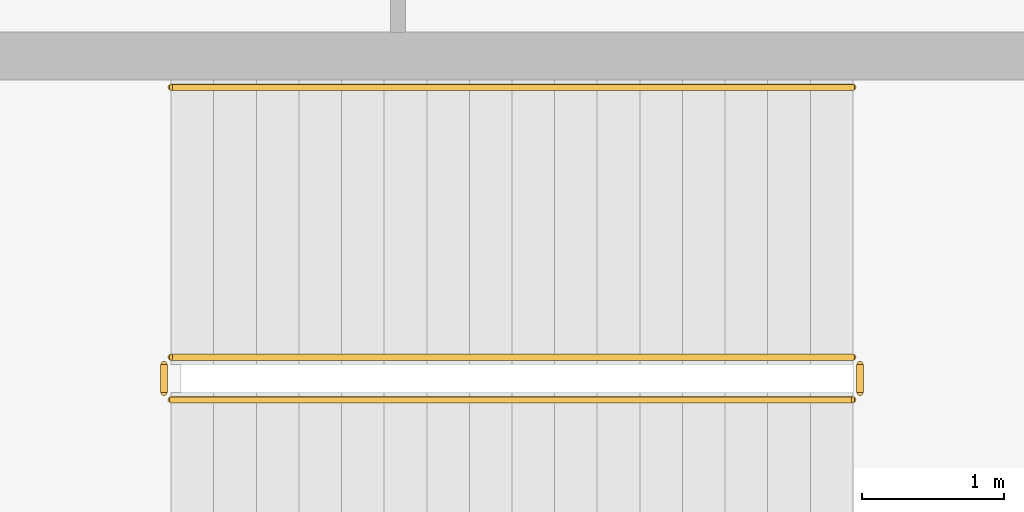
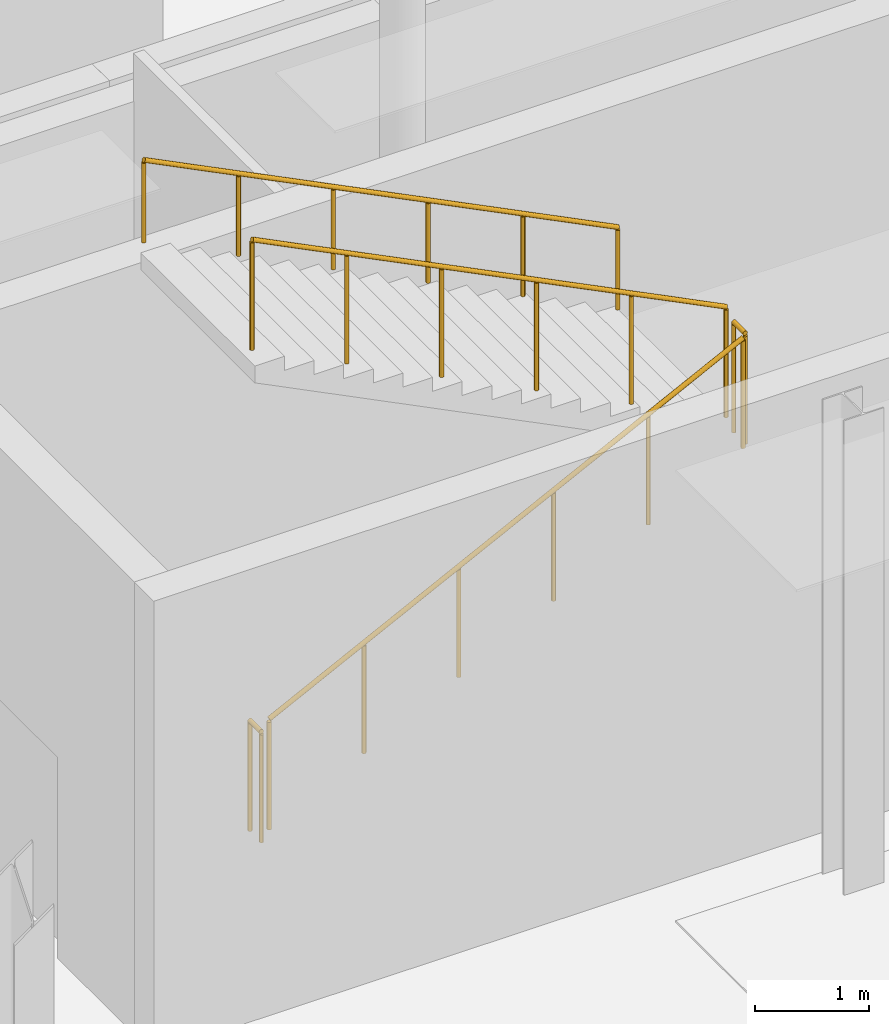
# One storey, part 100 of 103: 5 railings.
"""IFC4 building model written with IfcOpenShell, lengths in metres."""

from ifc_helpers import new_model, si_unit, direction, frame, origin, origin_2d, place, context, subcontext, project, spatial, circle, extrude, material, type_object, element, save


model = new_model("IFC4")

# Units and contexts
model_context = context("Model", 3, precision=1e-05, world=origin(), true_north=direction((0.0, 1.0)))
body_context = subcontext(model_context, "Body", "Model", "MODEL_VIEW")
ifc_project = project(units=[si_unit("LENGTHUNIT", "METRE"), si_unit("AREAUNIT", "SQUARE_METRE"), si_unit("VOLUMEUNIT", "CUBIC_METRE"), si_unit("PLANEANGLEUNIT", "RADIAN"), si_unit("MASSUNIT", "GRAM", prefix="KILO"), si_unit("THERMODYNAMICTEMPERATUREUNIT", "KELVIN")], contexts=[model_context])

# Site, building, storey
site_placement = place(None, origin())
site = spatial("IfcSite", under=ifc_project, at=site_placement, CompositionType="ELEMENT")
building_placement = place(site_placement, origin())
building = spatial("IfcBuilding", under=site, at=building_placement, Name="Lustrewick Department Store", CompositionType="ELEMENT")
storey_placement = place(building_placement, frame((0.0, 0.0, 16.5)))
storey = spatial("IfcBuildingStorey", under=building, at=storey_placement, Name="L04", CompositionType="ELEMENT", Elevation=16.5)

# Railings
ifc_material_1 = material(Name="Painted tubular steel stairwell guardrail", Category="steel")
railing_type_1 = type_object("IfcRailingType", Name="RL-STG", PredefinedType="GUARDRAIL", material=ifc_material_1)
railing_1_placement = place(storey_placement, frame((138.64990234375, 45.050048828125, 0.14990234375)))
element("IfcRailing", 1, at=railing_1_placement, inside=storey, type_object=railing_type_1, Name="L04 ST08 Stair Guard 1", PredefinedType="GUARDRAIL", context=body_context, shape_type="SweptSolid", body=[
    extrude(circle(Radius=0.02392578125, at=origin_2d()), frame((0.0, 0.0, 1.17578125), z_axis=(0.894418092416, 0.0, 0.447231792205), x_axis=(0.0, 1.0, 0.0)), (0.0, 0.0, 1.0), 5.36669921875),
    extrude(circle(Radius=0.02099609375, at=origin_2d()), origin(), (0.0, 0.0, 1.0), 1.15185546875),
    extrude(circle(Radius=0.02099609375, at=origin_2d()), frame((0.9599609375, 0.0, 0.47998046875)), (0.0, 0.0, 1.0), 1.15185546875),
    extrude(circle(Radius=0.02099609375, at=origin_2d()), frame((1.919921875, 0.0, 0.9599609375)), (0.0, 0.0, 1.0), 1.15185546875),
    extrude(circle(Radius=0.02099609375, at=origin_2d()), frame((2.880126953125, 0.0, 1.440185546875)), (0.0, 0.0, 1.0), 1.15185546875),
    extrude(circle(Radius=0.02099609375, at=origin_2d()), frame((3.840087890625, 0.0, 1.920166015625)), (0.0, 0.0, 1.0), 1.15185546875),
    extrude(circle(Radius=0.02099609375, at=origin_2d()), frame((4.800048828125, 0.0, 2.400146484375)), (0.0, 0.0, 1.0), 1.15185546875),
])
railing_2_placement = place(storey_placement, frame((143.5, 45.10009765625, 2.550048828125)))
element("IfcRailing", 2, at=railing_2_placement, inside=storey, type_object=railing_type_1, Name="L04 ST08 Stair Guard 2", PredefinedType="GUARDRAIL", context=body_context, shape_type="SweptSolid", body=[
    extrude(circle(Radius=0.02392578125, at=origin_2d()), frame((0.0, 0.0, 1.17578125), z_axis=(0.0, 1.0, 0.0), x_axis=(-1.0, 0.0, 0.0)), (0.0, 0.0, 1.0), 0.199951171875),
    extrude(circle(Radius=0.02099609375, at=origin_2d()), origin(), (0.0, 0.0, 1.0), 1.15185546875),
    extrude(circle(Radius=0.02099609375, at=origin_2d()), frame((0.0, 0.199951171875, 0.0)), (0.0, 0.0, 1.0), 1.15185546875),
])
railing_3_placement = place(storey_placement, frame((143.449951171875, 45.35009765625, 2.699951171875)))
element("IfcRailing", 3, at=railing_3_placement, inside=storey, type_object=railing_type_1, Name="L04 ST08 Stair Guard 3", PredefinedType="GUARDRAIL", context=body_context, shape_type="SweptSolid", body=[
    extrude(circle(Radius=0.02392578125, at=origin_2d()), frame((0.0, 0.0, 1.17578125), z_axis=(-0.894418092416, 0.0, 0.447231792205), x_axis=(0.0, -1.0, 0.0)), (0.0, 0.0, 1.0), 5.36669921875),
    extrude(circle(Radius=0.02099609375, at=origin_2d()), origin(), (0.0, 0.0, 1.0), 1.15185546875),
    extrude(circle(Radius=0.02099609375, at=origin_2d()), frame((-0.9599609375, 0.0, 0.47998046875)), (0.0, 0.0, 1.0), 1.15185546875),
    extrude(circle(Radius=0.02099609375, at=origin_2d()), frame((-1.919921875, 0.0, 0.9599609375)), (0.0, 0.0, 1.0), 1.15185546875),
    extrude(circle(Radius=0.02099609375, at=origin_2d()), frame((-2.880126953125, 0.0, 1.440185546875)), (0.0, 0.0, 1.0), 1.15185546875),
    extrude(circle(Radius=0.02099609375, at=origin_2d()), frame((-3.840087890625, 0.0, 1.920166015625)), (0.0, 0.0, 1.0), 1.15185546875),
    extrude(circle(Radius=0.02099609375, at=origin_2d()), frame((-4.800048828125, 0.0, 2.400146484375)), (0.0, 0.0, 1.0), 1.15185546875),
])
railing_4_placement = place(storey_placement, frame((138.60009765625, 45.10009765625, 0.0)))
element("IfcRailing", 4, at=railing_4_placement, inside=storey, type_object=railing_type_1, Name="L04 ST08 Stair Guard 4", PredefinedType="GUARDRAIL", context=body_context, shape_type="SweptSolid", body=[
    extrude(circle(Radius=0.02392578125, at=origin_2d()), frame((0.0, 0.0, 1.17578125), z_axis=(0.0, 1.0, 0.0), x_axis=(-1.0, 0.0, 0.0)), (0.0, 0.0, 1.0), 0.199951171875),
    extrude(circle(Radius=0.02099609375, at=origin_2d()), origin(), (0.0, 0.0, 1.0), 1.15185546875),
    extrude(circle(Radius=0.02099609375, at=origin_2d()), frame((0.0, 0.199951171875, 0.0)), (0.0, 0.0, 1.0), 1.15185546875),
])
ifc_material_2 = material(Name="Brushed stainless steel wall handrail", Category="steel")
railing_type_2 = type_object("IfcRailingType", Name="RL-STH", PredefinedType="HANDRAIL", material=ifc_material_2)
railing_5_placement = place(storey_placement, frame((143.449951171875, 47.25, 2.699951171875)))
element("IfcRailing", 5, at=railing_5_placement, inside=storey, type_object=railing_type_2, Name="L04 ST08 Stair Handrail 2", PredefinedType="HANDRAIL", context=body_context, shape_type="SweptSolid", body=[
    extrude(circle(Radius=0.02392578125, at=origin_2d()), frame((0.0, 0.0, 0.8759765625), z_axis=(-0.894418092416, 0.0, 0.447231792205), x_axis=(0.0, -1.0, 0.0)), (0.0, 0.0, 1.0), 5.36669921875),
    extrude(circle(Radius=0.02099609375, at=origin_2d()), origin(), (0.0, 0.0, 1.0), 0.851806640625),
    extrude(circle(Radius=0.02099609375, at=origin_2d()), frame((-0.9599609375, 0.0, 0.47998046875)), (0.0, 0.0, 1.0), 0.851806640625),
    extrude(circle(Radius=0.02099609375, at=origin_2d()), frame((-1.919921875, 0.0, 0.9599609375)), (0.0, 0.0, 1.0), 0.851806640625),
    extrude(circle(Radius=0.02099609375, at=origin_2d()), frame((-2.880126953125, 0.0, 1.440185546875)), (0.0, 0.0, 1.0), 0.851806640625),
    extrude(circle(Radius=0.02099609375, at=origin_2d()), frame((-3.840087890625, 0.0, 1.920166015625)), (0.0, 0.0, 1.0), 0.851806640625),
    extrude(circle(Radius=0.02099609375, at=origin_2d()), frame((-4.800048828125, 0.0, 2.400146484375)), (0.0, 0.0, 1.0), 0.851806640625),
])

save(model, "model.ifc")
